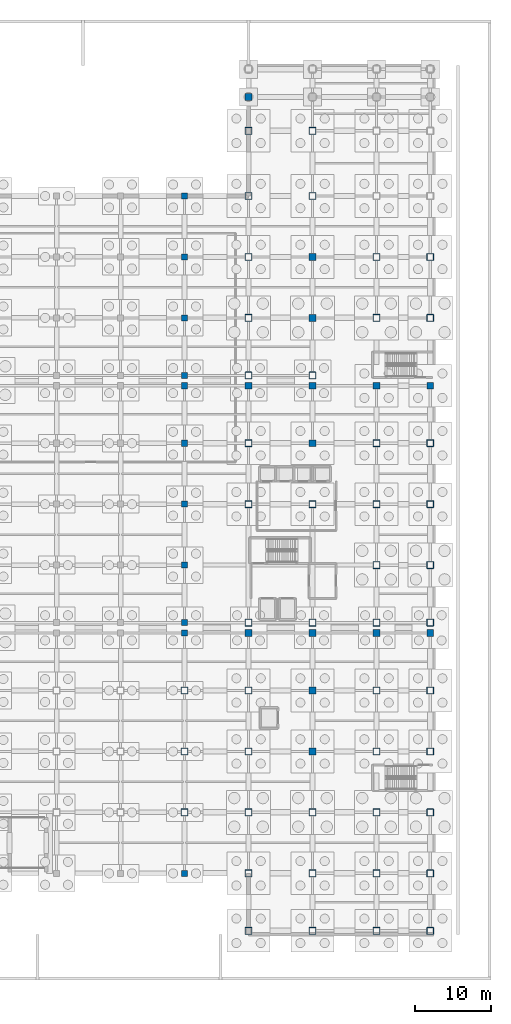
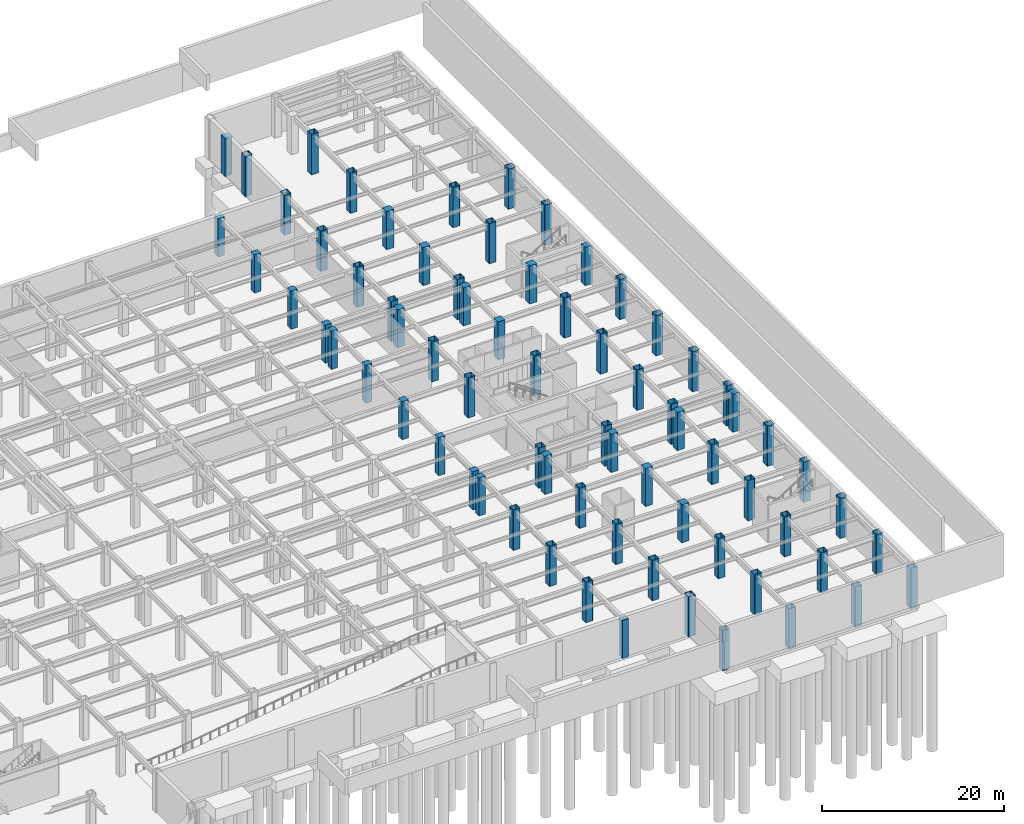
# One storey, part 19 of 55: 71 columns.
"""IFC4 building model written with IfcOpenShell, lengths in metres."""

from ifc_helpers import new_model, si_unit, direction, frame, origin, origin_2d, place, context, subcontext, project, spatial, rectangle, hollow_rectangle, extrude, material, material_profile, profile_set, type_object, element, save


model = new_model("IFC4")

# Units and contexts
model_context = context("Model", 3, precision=1e-05, world=origin(), true_north=direction((0.0, 1.0)))
body_context = subcontext(model_context, "Body", "Model", "MODEL_VIEW")
ifc_project = project(units=[si_unit("LENGTHUNIT", "METRE"), si_unit("AREAUNIT", "SQUARE_METRE"), si_unit("VOLUMEUNIT", "CUBIC_METRE"), si_unit("PLANEANGLEUNIT", "RADIAN"), si_unit("MASSUNIT", "GRAM", prefix="KILO")], contexts=[model_context])

# Site, building, storey
site_placement = place(None, origin())
site = spatial("IfcSite", under=ifc_project, at=site_placement, CompositionType="ELEMENT")
building_placement = place(site_placement, origin())
building = spatial("IfcBuilding", under=site, at=building_placement, Name="Kazehara Bluff Congress Hotel", CompositionType="ELEMENT")
storey_placement = place(building_placement, frame((0.0, 0.0, -5.39990234375)))
storey = spatial("IfcBuildingStorey", under=building, at=storey_placement, Name="B1", CompositionType="ELEMENT", Elevation=-5.39990234375)

# Columns
ifc_material_1 = material(Name="Steel BCR295", Category="steel")
ifc_material_profile_1 = material_profile(ifc_material_1, hollow_rectangle(XDim=0.89990234375, YDim=0.89990234375, WallThickness=0.031982421875, InnerFilletRadius=0.031982421875, OuterFilletRadius=0.06396484375, at=origin_2d()))
ifc_profile_set_1 = profile_set([ifc_material_profile_1], Name="Steel BCR295")
column_type_1 = type_object("IfcColumnType", Name="TP-C-01", PredefinedType="COLUMN", material=ifc_profile_set_1)
for number, where, z_axis, x_axis, name in (
    (1, (135.300048828125, 16.0, 0.0), (0.0, 0.0, 1.0), (1.0, 0.0, 0.0), "B1 mega-column C-01 (135.30,16.00)"),
    (2, (135.300048828125, 24.0, 0.0), (0.0, 0.0, 1.0), (1.0, 0.0, 0.0), "B1 mega-column C-01 (135.30,24.00)"),
    (3, (135.300048828125, 32.0, 0.0), (0.0, 0.0, 1.0), (1.0, 0.0, 0.0), "B1 mega-column C-01 (135.30,32.00)"),
    (4, (143.699951171875, 0.449951171875, 0.0), (0.0, 0.0, 1.0), (1.0, 0.0, 0.0), "B1 mega-column C-01 (143.70,0.45)"),
    (5, (143.699951171875, 8.0, 0.0), (0.0, 0.0, 1.0), (1.0, 0.0, 0.0), "B1 mega-column C-01 (143.70,8.00)"),
    (6, (143.699951171875, 16.0, 0.0), (0.0, 0.0, 1.0), (1.0, 0.0, 0.0), "B1 mega-column C-01 (143.70,16.00)"),
    (7, (143.699951171875, 24.0, 0.0), (0.0, 0.0, 1.0), (1.0, 0.0, 0.0), "B1 mega-column C-01 (143.70,24.00)"),
    (8, (143.699951171875, 32.0, 0.0), (0.0, 0.0, 1.0), (1.0, 0.0, 0.0), "B1 mega-column C-01 (143.70,32.00)"),
    (9, (143.699951171875, 40.89990234375, 0.0), (0.0, 0.0, 1.0), (1.0, 0.0, 0.0), "B1 mega-column C-01 (143.70,40.90)"),
    (10, (143.699951171875, 56.449951171875, 0.0), (0.0, 0.0, 1.0), (1.0, 0.0, 0.0), "B1 mega-column C-01 (143.70,56.45)"),
    (11, (143.699951171875, 64.449951171875, 0.0), (0.0, 0.0, 1.0), (1.0, 0.0, 0.0), "B1 mega-column C-01 (143.70,64.45)"),
    (12, (143.699951171875, 73.35009765625, 0.0), (0.0, 0.0, 1.0), (1.0, 0.0, 0.0), "B1 mega-column C-01 (143.70,73.35)"),
    (13, (143.699951171875, 80.89990234375, 0.0), (0.0, 0.0, 1.0), (1.0, 0.0, 0.0), "B1 mega-column C-01 (143.70,80.90)"),
    (14, (143.699951171875, 88.89990234375, 0.0), (0.0, 0.0, 1.0), (1.0, 0.0, 0.0), "B1 mega-column C-01 (143.70,88.90)"),
    (15, (143.699951171875, 96.89990234375, 0.0), (0.0, 0.0, 1.0), (1.0, 0.0, 0.0), "B1 mega-column C-01 (143.70,96.90)"),
    (16, (143.699951171875, 105.449951171875, 0.0), (0.0, 0.0, 1.0), (1.0, 0.0, 0.0), "B1 mega-column C-01 (143.70,105.45)"),
    (17, (152.10009765625, 0.449951171875, 0.0), (0.0, 0.0, 1.0), (1.0, 0.0, 0.0), "B1 mega-column C-01 (152.10,0.45)"),
    (18, (152.10009765625, 8.0, 0.0), (0.0, 0.0, 1.0), (1.0, 0.0, 0.0), "B1 mega-column C-01 (152.10,8.00)"),
    (19, (152.10009765625, 16.0, 0.0), (0.0, 0.0, 1.0), (1.0, 0.0, 0.0), "B1 mega-column C-01 (152.10,16.00)"),
    (20, (152.10009765625, 40.89990234375, 0.0), (0.0, 0.0, 1.0), (1.0, 0.0, 0.0), "B1 mega-column C-01 (152.10,40.90)"),
    (21, (152.10009765625, 56.449951171875, 0.0), (0.0, 0.0, 1.0), (1.0, 0.0, 0.0), "B1 mega-column C-01 (152.10,56.45)"),
    (22, (152.10009765625, 73.35009765625, 0.0), (0.0, 0.0, 1.0), (1.0, 0.0, 0.0), "B1 mega-column C-01 (152.10,73.35)"),
    (23, (152.10009765625, 96.89990234375, 0.0), (0.0, 0.0, 1.0), (1.0, 0.0, 0.0), "B1 mega-column C-01 (152.10,96.90)"),
    (24, (152.10009765625, 105.449951171875, 0.0), (0.0, 0.0, 1.0), (1.0, 0.0, 0.0), "B1 mega-column C-01 (152.10,105.45)"),
    (25, (160.5, 0.449951171875, 0.0), (0.0, 0.0, 1.0), (1.0, 0.0, 0.0), "B1 mega-column C-01 (160.50,0.45)"),
    (26, (160.5, 8.0, 0.0), (0.0, 0.0, 1.0), (1.0, 0.0, 0.0), "B1 mega-column C-01 (160.50,8.00)"),
    (27, (160.5, 16.0, 0.0), (0.0, 0.0, 1.0), (1.0, 0.0, 0.0), "B1 mega-column C-01 (160.50,16.00)"),
    (28, (160.5, 24.0, 0.0), (0.0, 0.0, 1.0), (1.0, 0.0, 0.0), "B1 mega-column C-01 (160.50,24.00)"),
    (29, (160.5, 32.0, 0.0), (0.0, 0.0, 1.0), (1.0, 0.0, 0.0), "B1 mega-column C-01 (160.50,32.00)"),
    (30, (160.5, 40.89990234375, 0.0), (0.0, 0.0, 1.0), (1.0, 0.0, 0.0), "B1 mega-column C-01 (160.50,40.90)"),
    (31, (160.5, 48.449951171875, 0.0), (0.0, 0.0, 1.0), (1.0, 0.0, 0.0), "B1 mega-column C-01 (160.50,48.45)"),
    (32, (160.5, 56.449951171875, 0.0), (0.0, 0.0, 1.0), (1.0, 0.0, 0.0), "B1 mega-column C-01 (160.50,56.45)"),
    (33, (160.5, 64.449951171875, 0.0), (0.0, 0.0, 1.0), (1.0, 0.0, 0.0), "B1 mega-column C-01 (160.50,64.45)"),
    (34, (160.5, 80.89990234375, 0.0), (0.0, 0.0, 1.0), (1.0, 0.0, 0.0), "B1 mega-column C-01 (160.50,80.90)"),
    (35, (160.5, 88.89990234375, 0.0), (0.0, 0.0, 1.0), (1.0, 0.0, 0.0), "B1 mega-column C-01 (160.50,88.90)"),
    (36, (167.550048828125, 0.449951171875, 0.0), (0.0, 0.0, 1.0), (1.0, 0.0, 0.0), "B1 mega-column C-01 (167.55,0.45)"),
    (37, (167.550048828125, 8.0, 0.0), (0.0, 0.0, 1.0), (1.0, 0.0, 0.0), "B1 mega-column C-01 (167.55,8.00)"),
    (38, (167.550048828125, 16.0, 0.0), (0.0, 0.0, 1.0), (1.0, 0.0, 0.0), "B1 mega-column C-01 (167.55,16.00)"),
    (39, (167.550048828125, 24.0, 0.0), (0.0, 0.0, 1.0), (1.0, 0.0, 0.0), "B1 mega-column C-01 (167.55,24.00)"),
    (40, (167.550048828125, 32.0, 0.0), (0.0, 0.0, 1.0), (1.0, 0.0, 0.0), "B1 mega-column C-01 (167.55,32.00)"),
    (41, (167.550048828125, 40.89990234375, 0.0), (0.0, 0.0, 1.0), (1.0, 0.0, 0.0), "B1 mega-column C-01 (167.55,40.90)"),
    (42, (167.550048828125, 48.449951171875, 0.0), (0.0, 0.0, 1.0), (1.0, 0.0, 0.0), "B1 mega-column C-01 (167.55,48.45)"),
    (43, (167.550048828125, 56.449951171875, 0.0), (0.0, 0.0, 1.0), (1.0, 0.0, 0.0), "B1 mega-column C-01 (167.55,56.45)"),
    (44, (167.550048828125, 64.449951171875, 0.0), (0.0, 0.0, 1.0), (1.0, 0.0, 0.0), "B1 mega-column C-01 (167.55,64.45)"),
    (45, (167.550048828125, 80.89990234375, 0.0), (0.0, 0.0, 1.0), (1.0, 0.0, 0.0), "B1 mega-column C-01 (167.55,80.90)"),
    (46, (167.550048828125, 88.89990234375, 0.0), (0.0, 0.0, 1.0), (1.0, 0.0, 0.0), "B1 mega-column C-01 (167.55,88.90)"),
):
    element("IfcColumn", number, at=place(storey_placement, frame(where, z_axis=z_axis, x_axis=x_axis)), inside=storey, type_object=column_type_1, Name=name, PredefinedType="COLUMN", context=body_context, shape_type="SweptSolid", body=[
        extrude(hollow_rectangle(XDim=0.89990234375, YDim=0.89990234375, WallThickness=0.031982421875, InnerFilletRadius=0.031982421875, OuterFilletRadius=0.06396484375, at=origin_2d()), origin(), (0.0, 0.0, 1.0), 5.39990234375),
    ])
ifc_material_2 = material(Name="Concrete C40/50", Category="concrete")
ifc_material_profile_2 = material_profile(ifc_material_2, rectangle(XDim=0.89990234375, YDim=0.89990234375, at=origin_2d()))
ifc_profile_set_2 = profile_set([ifc_material_profile_2], Name="Concrete C40/50")
column_type_2 = type_object("IfcColumnType", Name="TP-C-12", PredefinedType="COLUMN", material=ifc_profile_set_2)
for number, where, z_axis, x_axis, name in (
    (47, (143.699951171875, 39.550048828125, 0.0), (0.0, 0.0, 1.0), (1.0, 0.0, 0.0), "B1 column C-12 (143.70,39.55)"),
    (48, (143.699951171875, 72.0, 0.0), (0.0, 0.0, 1.0), (1.0, 0.0, 0.0), "B1 column C-12 (143.70,72.00)"),
    (49, (143.699951171875, 109.89990234375, 0.0), (0.0, 0.0, 1.0), (1.0, 0.0, 0.0), "B1 column C-12 (143.70,109.90)"),
    (50, (152.10009765625, 24.0, 0.0), (0.0, 0.0, 1.0), (1.0, 0.0, 0.0), "B1 column C-12 (152.10,24.00)"),
    (51, (152.10009765625, 32.0, 0.0), (0.0, 0.0, 1.0), (1.0, 0.0, 0.0), "B1 column C-12 (152.10,32.00)"),
    (52, (152.10009765625, 39.550048828125, 0.0), (0.0, 0.0, 1.0), (1.0, 0.0, 0.0), "B1 column C-12 (152.10,39.55)"),
    (53, (152.10009765625, 64.449951171875, 0.0), (0.0, 0.0, 1.0), (1.0, 0.0, 0.0), "B1 column C-12 (152.10,64.45)"),
    (54, (152.10009765625, 72.0, 0.0), (0.0, 0.0, 1.0), (1.0, 0.0, 0.0), "B1 column C-12 (152.10,72.00)"),
    (55, (152.10009765625, 80.89990234375, 0.0), (0.0, 0.0, 1.0), (1.0, 0.0, 0.0), "B1 column C-12 (152.10,80.90)"),
    (56, (152.10009765625, 88.89990234375, 0.0), (0.0, 0.0, 1.0), (1.0, 0.0, 0.0), "B1 column C-12 (152.10,88.90)"),
    (57, (160.5, 39.550048828125, 0.0), (0.0, 0.0, 1.0), (1.0, 0.0, 0.0), "B1 column C-12 (160.50,39.55)"),
    (58, (160.5, 72.0, 0.0), (0.0, 0.0, 1.0), (1.0, 0.0, 0.0), "B1 column C-12 (160.50,72.00)"),
    (59, (167.550048828125, 39.550048828125, 0.0), (0.0, 0.0, 1.0), (1.0, 0.0, 0.0), "B1 column C-12 (167.55,39.55)"),
    (60, (167.550048828125, 72.0, 0.0), (0.0, 0.0, 1.0), (1.0, 0.0, 0.0), "B1 column C-12 (167.55,72.00)"),
):
    element("IfcColumn", number, at=place(storey_placement, frame(where, z_axis=z_axis, x_axis=x_axis)), inside=storey, type_object=column_type_2, Name=name, PredefinedType="COLUMN", context=body_context, shape_type="SweptSolid", body=[
        extrude(rectangle(XDim=0.89990234375, YDim=0.89990234375, at=origin_2d()), origin(), (0.0, 0.0, 1.0), 5.119873046875),
    ])
ifc_material_3 = material(Name="Concrete C40/50", Category="concrete")
ifc_material_profile_3 = material_profile(ifc_material_3, rectangle(XDim=0.800048828125, YDim=0.800048828125, at=origin_2d()))
ifc_profile_set_3 = profile_set([ifc_material_profile_3], Name="Concrete C40/50")
column_type_3 = type_object("IfcColumnType", Name="TP-C-13", PredefinedType="COLUMN", material=ifc_profile_set_3)
for number, where, z_axis, x_axis, name in (
    (61, (135.300048828125, 8.0, 0.0), (0.0, 0.0, 1.0), (1.0, 0.0, 0.0), "B1 column C-13 (135.30,8.00)"),
    (62, (135.300048828125, 39.550048828125, 0.0), (0.0, 0.0, 1.0), (1.0, 0.0, 0.0), "B1 column C-13 (135.30,39.55)"),
    (63, (135.300048828125, 40.89990234375, 0.0), (0.0, 0.0, 1.0), (1.0, 0.0, 0.0), "B1 column C-13 (135.30,40.90)"),
    (64, (135.300048828125, 48.449951171875, 0.0), (0.0, 0.0, 1.0), (1.0, 0.0, 0.0), "B1 column C-13 (135.30,48.45)"),
    (65, (135.300048828125, 56.449951171875, 0.0), (0.0, 0.0, 1.0), (1.0, 0.0, 0.0), "B1 column C-13 (135.30,56.45)"),
    (66, (135.300048828125, 64.449951171875, 0.0), (0.0, 0.0, 1.0), (1.0, 0.0, 0.0), "B1 column C-13 (135.30,64.45)"),
    (67, (135.300048828125, 72.0, 0.0), (0.0, 0.0, 1.0), (1.0, 0.0, 0.0), "B1 column C-13 (135.30,72.00)"),
    (68, (135.300048828125, 73.35009765625, 0.0), (0.0, 0.0, 1.0), (1.0, 0.0, 0.0), "B1 column C-13 (135.30,73.35)"),
    (69, (135.300048828125, 80.89990234375, 0.0), (0.0, 0.0, 1.0), (1.0, 0.0, 0.0), "B1 column C-13 (135.30,80.90)"),
    (70, (135.300048828125, 88.89990234375, 0.0), (0.0, 0.0, 1.0), (1.0, 0.0, 0.0), "B1 column C-13 (135.30,88.90)"),
    (71, (135.300048828125, 96.89990234375, 0.0), (0.0, 0.0, 1.0), (1.0, 0.0, 0.0), "B1 column C-13 (135.30,96.90)"),
):
    element("IfcColumn", number, at=place(storey_placement, frame(where, z_axis=z_axis, x_axis=x_axis)), inside=storey, type_object=column_type_3, Name=name, PredefinedType="COLUMN", context=body_context, shape_type="SweptSolid", body=[
        extrude(rectangle(XDim=0.800048828125, YDim=0.800048828125, at=origin_2d()), origin(), (0.0, 0.0, 1.0), 5.119873046875),
    ])

save(model, "model.ifc")
